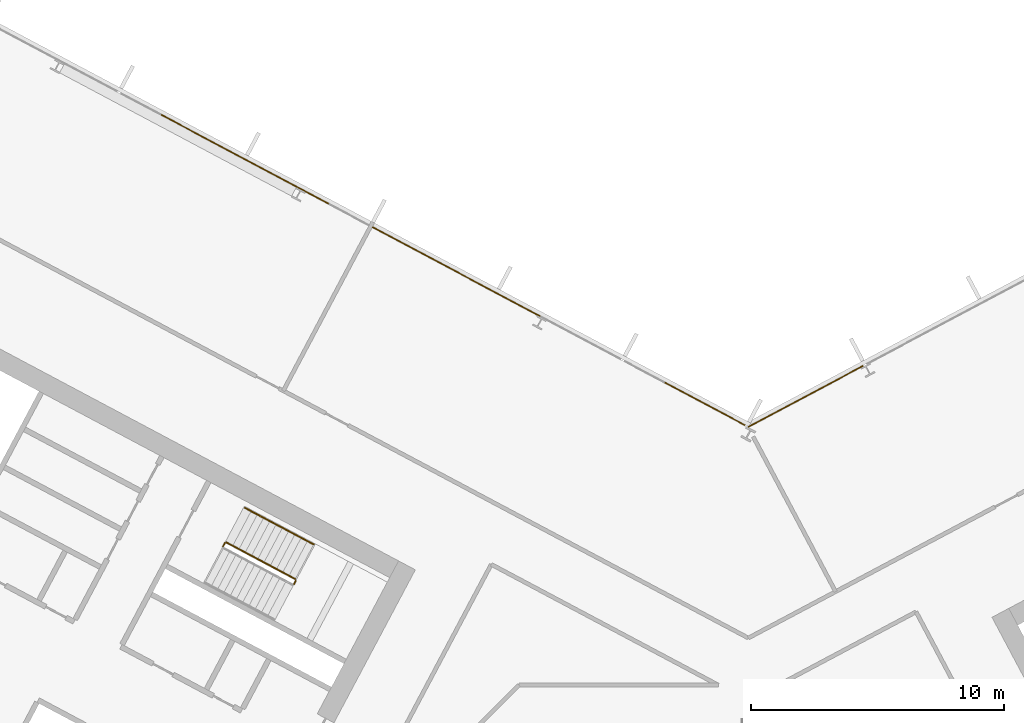
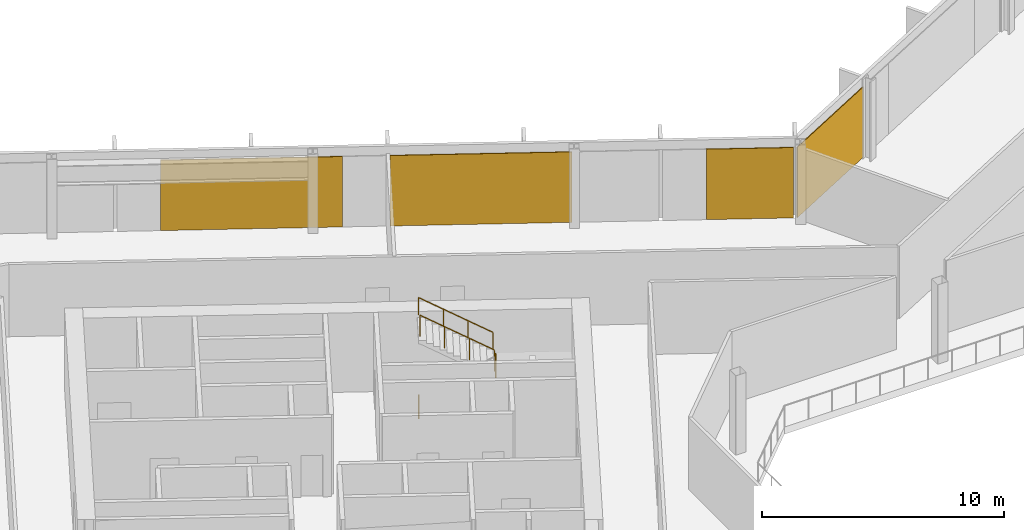
# One storey, part 23 of 28: 4 coverings, 4 railings, 2 elements without a shape of their own.
"""IFC4 building model written with IfcOpenShell, lengths in metres."""

from ifc_helpers import new_model, si_unit, direction, frame, origin, origin_2d, place, context, subcontext, project, spatial, polyline, rectangle, outline, extrude, material, layer, layer_set, type_object, element, aggregate, save


model = new_model("IFC4")

# Units and contexts
model_context = context("Model", 3, precision=1e-05, world=origin(), true_north=direction((0.0, 1.0)))
body_context = subcontext(model_context, "Body", "Model", "MODEL_VIEW")
ifc_project = project(units=[si_unit("LENGTHUNIT", "METRE"), si_unit("AREAUNIT", "SQUARE_METRE"), si_unit("VOLUMEUNIT", "CUBIC_METRE"), si_unit("PLANEANGLEUNIT", "RADIAN"), si_unit("MASSUNIT", "GRAM", prefix="KILO")], contexts=[model_context])

# Site, building, storey
site_placement = place(None, origin())
site = spatial("IfcSite", under=ifc_project, at=site_placement, CompositionType="ELEMENT")
building_placement = place(site_placement, origin())
building = spatial("IfcBuilding", under=site, at=building_placement, Name="Cormorant Relay Tower", CompositionType="ELEMENT")
storey_placement = place(building_placement, frame((0.0, 0.0, 150.199951171875)))
storey = spatial("IfcBuildingStorey", under=building, at=storey_placement, Name="L31", CompositionType="ELEMENT", Elevation=150.199951171875)

# Curtain wall, covering
ifc_material_1 = material(Name="Aluminium 6063-T6 anodised bronze", Category="aluminium")
ifc_layer_1 = layer(ifc_material_1, 0.199951171875)
ifc_layer_set_1 = layer_set([ifc_layer_1], Name="CW1 unitised bronze curtain wall with vertical fins")
curtain_wall_type = type_object("IfcCurtainWallType", Name="CW1 unitised bronze curtain wall with vertical fins", PredefinedType="NOTDEFINED", material=ifc_layer_set_1)
curtain_wall_1_placement = place(storey_placement, origin())
curtain_wall_1 = element("IfcCurtainWall", 1, at=curtain_wall_1_placement, inside=storey, type_object=curtain_wall_type, Name="CW1 curtain wall 8", PredefinedType="NOTDEFINED")
ifc_material_2 = material(Name="Pale bronze anodised aluminium insulated panel", Category="aluminium")
ifc_layer_2 = layer(ifc_material_2, 0.0400390625)
ifc_layer_set_2 = layer_set([ifc_layer_2], Name="CW1 pale bronze insulated panel 40")
covering_type = type_object("IfcCoveringType", Name="CW1 pale bronze insulated panel 40", PredefinedType="CLADDING", material=ifc_layer_set_2)
covering_1_placement = place(storey_placement, frame((2.26611328125, 25.011474609375, 0.0), z_axis=(0.0, 0.0, 1.0), x_axis=(-0.882947592859, -0.469471562786, 0.0)))
covering_1 = element("IfcCovering", 2, at=covering_1_placement, type_object=covering_type, Name="CW1 panel S09", PredefinedType="CLADDING", context=body_context, shape_type="SweptSolid", body=[
    extrude(rectangle(XDim=5.154296875, YDim=0.0400390625, at=origin_2d()), origin(), (0.0, 0.0, 1.0), 3.550048828125),
])
aggregate(curtain_wall_1, [covering_1])

# Curtain wall, coverings
curtain_wall_2_placement = place(storey_placement, origin())
curtain_wall_2 = element("IfcCurtainWall", 3, at=curtain_wall_2_placement, inside=storey, type_object=curtain_wall_type, Name="CW1 curtain wall 9", PredefinedType="NOTDEFINED")
covering_2_placement = place(storey_placement, frame((-1.718505859375, 24.720458984375, 0.0), z_axis=(0.0, 0.0, 1.0), x_axis=(-0.882947592859, 0.469471562786, 0.0)))
covering_2 = element("IfcCovering", 4, at=covering_2_placement, type_object=covering_type, Name="CW1 panel S00", PredefinedType="CLADDING", context=body_context, shape_type="SweptSolid", body=[
    extrude(rectangle(XDim=3.614013671875, YDim=0.0400390625, at=origin_2d()), origin(), (0.0, 0.0, 1.0), 3.550048828125),
])
covering_3_placement = place(storey_placement, frame((-11.537841796875, 29.94140625, 0.0), z_axis=(0.0, 0.0, 1.0), x_axis=(-0.882947592859, 0.469471562786, 0.0)))
covering_3 = element("IfcCovering", 5, at=covering_3_placement, type_object=covering_type, Name="CW1 panel S03", PredefinedType="CLADDING", context=body_context, shape_type="SweptSolid", body=[
    extrude(rectangle(XDim=7.528076171875, YDim=0.0400390625, at=origin_2d()), origin(), (0.0, 0.0, 1.0), 3.550048828125),
])
covering_4_placement = place(storey_placement, frame((-19.906494140625, 34.39111328125, 0.0), z_axis=(0.0, 0.0, 1.0), x_axis=(-0.882947592859, 0.469471562786, 0.0)))
covering_4 = element("IfcCovering", 6, at=covering_4_placement, type_object=covering_type, Name="CW1 panel S05", PredefinedType="CLADDING", context=body_context, shape_type="SweptSolid", body=[
    extrude(rectangle(XDim=7.528076171875, YDim=0.0400390625, at=origin_2d()), origin(), (0.0, 0.0, 1.0), 3.550048828125),
])
aggregate(curtain_wall_2, [covering_2, covering_3, covering_4])

# Railings
ifc_material_3 = material(Name="Steel ASTM A572 Grade 50 (Fy 345 MPa)", Category="steel")
railing_type_1 = type_object("IfcRailingType", Name="Stair guard 1100", PredefinedType="GUARDRAIL", material=ifc_material_3)
railing_1_placement = place(storey_placement, frame((-17.96337890625, 17.592529296875, 2.0)))
element("IfcRailing", 7, at=railing_1_placement, inside=storey, type_object=railing_type_1, Name="L31 A1 stair guard 2", PredefinedType="GUARDRAIL", context=body_context, shape_type="SweptSolid", body=[
    extrude(outline(polyline([(0.022216796875, 0.00927734375), (0.00927734375, 0.022216796875), (-0.00927734375, 0.022216796875), (-0.022216796875, 0.00927734375), (-0.022216796875, -0.00927734375), (-0.00927734375, -0.022216796875), (0.00927734375, -0.022216796875), (0.022216796875, -0.00927734375), (0.022216796875, 0.00927734375)])), frame((0.0, 0.0, 1.076171875), z_axis=(0.46856034887, 0.8834314911, 0.0), x_axis=(-0.8834314911, 0.46856034887, 0.0)), (0.0, 0.0, 1.0), 0.150146484375),
    extrude(outline(polyline([(0.019287109375, 0.008056640625), (0.008056640625, 0.019287109375), (-0.008056640625, 0.019287109375), (-0.019287109375, 0.008056640625), (-0.019287109375, -0.008056640625), (-0.008056640625, -0.019287109375), (0.008056640625, -0.019287109375), (0.019287109375, -0.008056640625), (0.019287109375, 0.008056640625)])), origin(), (0.0, 0.0, 1.0), 1.052001953125),
    extrude(outline(polyline([(0.019287109375, 0.008056640625), (0.008056640625, 0.019287109375), (-0.008056640625, 0.019287109375), (-0.019287109375, 0.008056640625), (-0.019287109375, -0.008056640625), (-0.008056640625, -0.019287109375), (0.008056640625, -0.019287109375), (0.019287109375, -0.008056640625), (0.019287109375, 0.008056640625)])), frame((0.0703125, 0.132568359375, 0.0)), (0.0, 0.0, 1.0), 1.052001953125),
])
railing_2_placement = place(storey_placement, frame((-17.913818359375, 17.792724609375, 2.166748046875)))
element("IfcRailing", 8, at=railing_2_placement, inside=storey, type_object=railing_type_1, Name="L31 A1 stair guard 3", PredefinedType="GUARDRAIL", context=body_context, shape_type="SweptSolid", body=[
    extrude(outline(polyline([(0.022216796875, 0.00927734375), (0.00927734375, 0.022216796875), (-0.00927734375, 0.022216796875), (-0.022216796875, 0.00927734375), (-0.022216796875, -0.00927734375), (-0.00927734375, -0.022216796875), (0.00927734375, -0.022216796875), (0.022216796875, -0.00927734375), (0.022216796875, 0.00927734375)])), frame((0.0, 0.0, 1.076171875), z_axis=(-0.758734504837, 0.403377838015, 0.511476559549), x_axis=(-0.469427602063, -0.882970965786, 0.0)), (0.0, 0.0, 1.0), 3.584228515625),
    extrude(outline(polyline([(0.019287109375, 0.008056640625), (0.008056640625, 0.019287109375), (-0.008056640625, 0.019287109375), (-0.019287109375, 0.008056640625), (-0.019287109375, -0.008056640625), (-0.008056640625, -0.019287109375), (0.008056640625, -0.019287109375), (0.019287109375, -0.008056640625), (0.019287109375, 0.008056640625)])), origin(), (0.0, 0.0, 1.0), 1.052001953125),
    extrude(outline(polyline([(0.019287109375, 0.008056640625), (0.008056640625, 0.019287109375), (-0.008056640625, 0.019287109375), (-0.019287109375, 0.008056640625), (-0.019287109375, -0.008056640625), (-0.008056640625, -0.019287109375), (0.008056640625, -0.019287109375), (0.019287109375, -0.008056640625), (0.019287109375, 0.008056640625)])), frame((-0.906494140625, 0.48193359375, 0.611083984375)), (0.0, 0.0, 1.0), 1.052001953125),
    extrude(outline(polyline([(0.019287109375, 0.008056640625), (0.008056640625, 0.019287109375), (-0.008056640625, 0.019287109375), (-0.019287109375, 0.008056640625), (-0.019287109375, -0.008056640625), (-0.008056640625, -0.019287109375), (0.008056640625, -0.019287109375), (0.019287109375, -0.008056640625), (0.019287109375, 0.008056640625)])), frame((-1.81298828125, 0.9638671875, 1.22216796875)), (0.0, 0.0, 1.0), 1.052001953125),
    extrude(outline(polyline([(0.019287109375, 0.008056640625), (0.008056640625, 0.019287109375), (-0.008056640625, 0.019287109375), (-0.019287109375, 0.008056640625), (-0.019287109375, -0.008056640625), (-0.008056640625, -0.019287109375), (0.008056640625, -0.019287109375), (0.019287109375, -0.008056640625), (0.019287109375, 0.008056640625)])), frame((-2.719482421875, 1.44580078125, 1.833251953125)), (0.0, 0.0, 1.0), 1.052001953125),
])
railing_3_placement = place(storey_placement, frame((-20.771240234375, 19.08544921875, 0.0)))
element("IfcRailing", 9, at=railing_3_placement, inside=storey, type_object=railing_type_1, Name="L31 A1 stair guard 4", PredefinedType="GUARDRAIL", context=body_context, shape_type="SweptSolid", body=[
    extrude(outline(polyline([(0.022216796875, 0.00927734375), (0.00927734375, 0.022216796875), (-0.00927734375, 0.022216796875), (-0.022216796875, 0.00927734375), (-0.022216796875, -0.00927734375), (-0.00927734375, -0.022216796875), (0.00927734375, -0.022216796875), (0.022216796875, -0.00927734375), (0.022216796875, 0.00927734375)])), frame((0.0, 0.0, 1.076171875), z_axis=(0.469828648786, 0.882757634224, 0.0), x_axis=(-0.882757634224, 0.469828648786, 0.0)), (0.0, 0.0, 1.0), 0.150146484375),
    extrude(outline(polyline([(0.019287109375, 0.008056640625), (0.008056640625, 0.019287109375), (-0.008056640625, 0.019287109375), (-0.019287109375, 0.008056640625), (-0.019287109375, -0.008056640625), (-0.008056640625, -0.019287109375), (0.008056640625, -0.019287109375), (0.019287109375, -0.008056640625), (0.019287109375, 0.008056640625)])), origin(), (0.0, 0.0, 1.0), 1.052001953125),
    extrude(outline(polyline([(0.019287109375, 0.008056640625), (0.008056640625, 0.019287109375), (-0.008056640625, 0.019287109375), (-0.019287109375, 0.008056640625), (-0.019287109375, -0.008056640625), (-0.008056640625, -0.019287109375), (0.008056640625, -0.019287109375), (0.019287109375, -0.008056640625), (0.019287109375, 0.008056640625)])), frame((0.070556640625, 0.132568359375, 0.0)), (0.0, 0.0, 1.0), 1.052001953125),
])
ifc_material_4 = material(Name="Steel ASTM A572 Grade 50 (Fy 345 MPa)", Category="steel")
railing_type_2 = type_object("IfcRailingType", Name="Stair handrail 900", PredefinedType="HANDRAIL", material=ifc_material_4)
railing_4_placement = place(storey_placement, frame((-17.18603515625, 19.1611328125, 2.166748046875)))
element("IfcRailing", 10, at=railing_4_placement, inside=storey, type_object=railing_type_2, Name="L31 A1 stair handrail 2", PredefinedType="HANDRAIL", context=body_context, shape_type="SweptSolid", body=[
    extrude(outline(polyline([(0.022216796875, 0.00927734375), (0.00927734375, 0.022216796875), (-0.00927734375, 0.022216796875), (-0.022216796875, 0.00927734375), (-0.022216796875, -0.00927734375), (-0.00927734375, -0.022216796875), (0.00927734375, -0.022216796875), (0.022216796875, -0.00927734375), (0.022216796875, 0.00927734375)])), frame((0.0, 0.0, 0.8759765625), z_axis=(-0.758713656843, 0.403434867536, 0.511462505542), x_axis=(-0.469489399267, -0.882938108802, 0.0)), (0.0, 0.0, 1.0), 3.584228515625),
    extrude(outline(polyline([(0.019287109375, 0.008056640625), (0.008056640625, 0.019287109375), (-0.008056640625, 0.019287109375), (-0.019287109375, 0.008056640625), (-0.019287109375, -0.008056640625), (-0.008056640625, -0.019287109375), (0.008056640625, -0.019287109375), (0.019287109375, -0.008056640625), (0.019287109375, 0.008056640625)])), origin(), (0.0, 0.0, 1.0), 0.851806640625),
    extrude(outline(polyline([(0.019287109375, 0.008056640625), (0.008056640625, 0.019287109375), (-0.008056640625, 0.019287109375), (-0.019287109375, 0.008056640625), (-0.019287109375, -0.008056640625), (-0.008056640625, -0.019287109375), (0.008056640625, -0.019287109375), (0.019287109375, -0.008056640625), (0.019287109375, 0.008056640625)])), frame((-0.906494140625, 0.48193359375, 0.611083984375)), (0.0, 0.0, 1.0), 0.851806640625),
    extrude(outline(polyline([(0.019287109375, 0.008056640625), (0.008056640625, 0.019287109375), (-0.008056640625, 0.019287109375), (-0.019287109375, 0.008056640625), (-0.019287109375, -0.008056640625), (-0.008056640625, -0.019287109375), (0.008056640625, -0.019287109375), (0.019287109375, -0.008056640625), (0.019287109375, 0.008056640625)])), frame((-1.81298828125, 0.964111328125, 1.22216796875)), (0.0, 0.0, 1.0), 0.851806640625),
    extrude(outline(polyline([(0.019287109375, 0.008056640625), (0.008056640625, 0.019287109375), (-0.008056640625, 0.019287109375), (-0.019287109375, 0.008056640625), (-0.019287109375, -0.008056640625), (-0.008056640625, -0.019287109375), (0.008056640625, -0.019287109375), (0.019287109375, -0.008056640625), (0.019287109375, 0.008056640625)])), frame((-2.719482421875, 1.446044921875, 1.833251953125)), (0.0, 0.0, 1.0), 0.851806640625),
])

save(model, "model.ifc")
